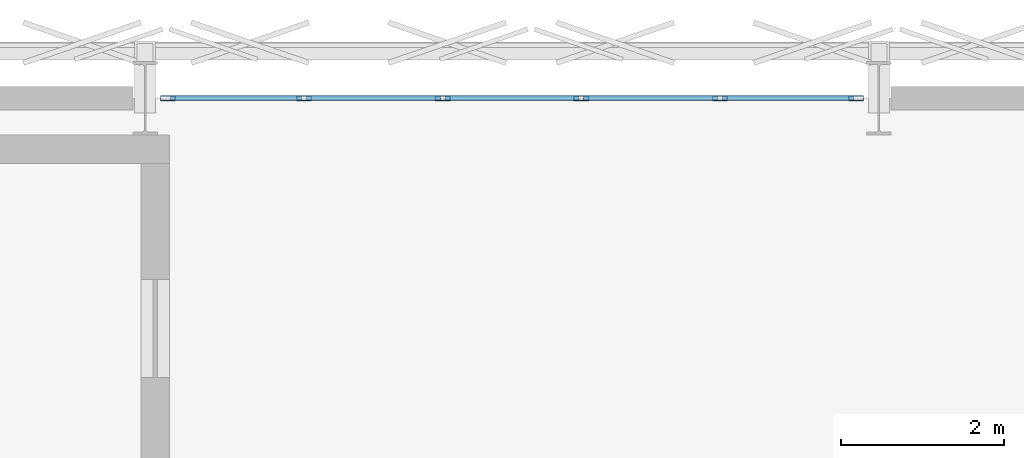
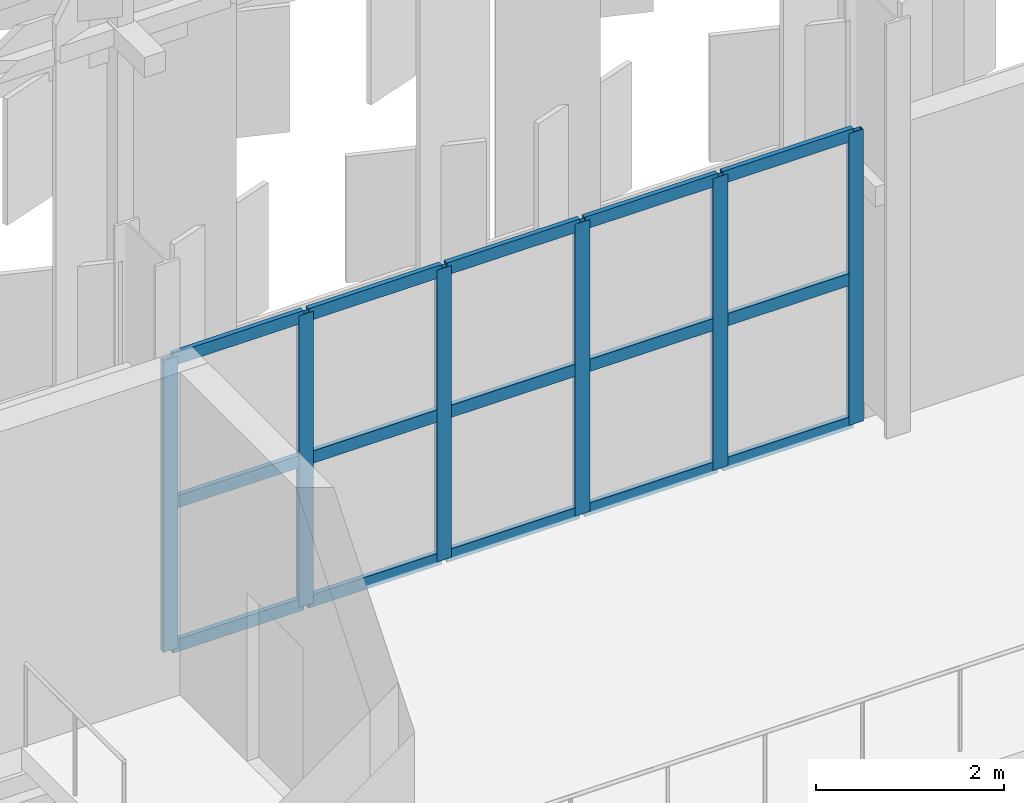
# One storey, part 79 of 210: 21 members, 1 element without a shape of its own.
"""IFC4 building model written with IfcOpenShell, lengths in metres."""

from ifc_helpers import new_model, si_unit, direction, frame, origin, origin_2d, place, context, subcontext, project, spatial, hollow_rectangle, extrude, material, material_profile, profile_set, type_object, element, aggregate, save


model = new_model("IFC4")

# Units and contexts
model_context = context("Model", 3, precision=1e-05, world=origin(), true_north=direction((0.0, 1.0)))
body_context = subcontext(model_context, "Body", "Model", "MODEL_VIEW")
ifc_project = project(units=[si_unit("LENGTHUNIT", "METRE"), si_unit("AREAUNIT", "SQUARE_METRE"), si_unit("VOLUMEUNIT", "CUBIC_METRE"), si_unit("PLANEANGLEUNIT", "RADIAN"), si_unit("MASSUNIT", "GRAM", prefix="KILO")], contexts=[model_context])

# Site, building, storey
site_placement = place(None, origin())
site = spatial("IfcSite", under=ifc_project, at=site_placement, CompositionType="ELEMENT")
building_placement = place(site_placement, origin())
building = spatial("IfcBuilding", under=site, at=building_placement, Name="Kaldris Quays Convention Centre", CompositionType="ELEMENT")
storey_placement = place(building_placement, frame((0.0, 0.0, 6.0)))
storey = spatial("IfcBuildingStorey", under=building, at=storey_placement, Name="L01", CompositionType="ELEMENT", Elevation=6.0)

# Curtain wall, members
ifc_material_1 = material(Name="Anodized aluminium AW-6060 and triple glazing", Category="aluminium")
curtain_wall_type = type_object("IfcCurtainWallType", Name="UNITISED CURTAIN WALL CW05", PredefinedType="NOTDEFINED", material=ifc_material_1)
curtain_wall_placement = place(storey_placement, origin())
curtain_wall = element("IfcCurtainWall", 1, at=curtain_wall_placement, inside=storey, type_object=curtain_wall_type, Name="L01 Unitised Curtain Wall CW05 2", PredefinedType="NOTDEFINED")
ifc_material_2 = material(Name="Anodized aluminium AW-6060", Category="aluminium")
ifc_material_profile_1 = material_profile(ifc_material_2, hollow_rectangle(XDim=0.06005859375, YDim=0.179931640625, WallThickness=0.0048828125, at=origin_2d()), Name="RHS 180x60x5")
ifc_profile_set_1 = profile_set([ifc_material_profile_1], Name="Anodized aluminium AW-6060")
member_type_1 = type_object("IfcMemberType", Name="CURTAIN MULLION CWM2", PredefinedType="MULLION", material=ifc_profile_set_1)
member_1_placement = place(storey_placement, frame((29.280029296875, 140.0, 0.0), z_axis=(0.0, 0.0, 1.0), x_axis=(0.0, 1.0, 0.0)))
member_1 = element("IfcMember", 2, at=member_1_placement, type_object=member_type_1, Name="CW05 mullion 1", PredefinedType="MULLION", context=body_context, shape_type="SweptSolid", body=[
    extrude(hollow_rectangle(XDim=0.06005859375, YDim=0.179931640625, WallThickness=0.0048828125, at=origin_2d()), origin(), (0.0, 0.0, 1.0), 3.800048828125),
])
member_2_placement = place(storey_placement, frame((30.949951171875, 140.0, 0.0), z_axis=(0.0, 0.0, 1.0), x_axis=(0.0, 1.0, 0.0)))
member_2 = element("IfcMember", 3, at=member_2_placement, type_object=member_type_1, Name="CW05 mullion 2", PredefinedType="MULLION", context=body_context, shape_type="SweptSolid", body=[
    extrude(hollow_rectangle(XDim=0.06005859375, YDim=0.179931640625, WallThickness=0.0048828125, at=origin_2d()), origin(), (0.0, 0.0, 1.0), 3.800048828125),
])
member_3_placement = place(storey_placement, frame((32.64990234375, 140.0, 0.0), z_axis=(0.0, 0.0, 1.0), x_axis=(0.0, 1.0, 0.0)))
member_3 = element("IfcMember", 4, at=member_3_placement, type_object=member_type_1, Name="CW05 mullion 3", PredefinedType="MULLION", context=body_context, shape_type="SweptSolid", body=[
    extrude(hollow_rectangle(XDim=0.06005859375, YDim=0.179931640625, WallThickness=0.0048828125, at=origin_2d()), origin(), (0.0, 0.0, 1.0), 3.800048828125),
])
member_4_placement = place(storey_placement, frame((34.35009765625, 140.0, 0.0), z_axis=(0.0, 0.0, 1.0), x_axis=(0.0, 1.0, 0.0)))
member_4 = element("IfcMember", 5, at=member_4_placement, type_object=member_type_1, Name="CW05 mullion 4", PredefinedType="MULLION", context=body_context, shape_type="SweptSolid", body=[
    extrude(hollow_rectangle(XDim=0.06005859375, YDim=0.179931640625, WallThickness=0.0048828125, at=origin_2d()), origin(), (0.0, 0.0, 1.0), 3.800048828125),
])
member_5_placement = place(storey_placement, frame((36.050048828125, 140.0, 0.0), z_axis=(0.0, 0.0, 1.0), x_axis=(0.0, 1.0, 0.0)))
member_5 = element("IfcMember", 6, at=member_5_placement, type_object=member_type_1, Name="CW05 mullion 5", PredefinedType="MULLION", context=body_context, shape_type="SweptSolid", body=[
    extrude(hollow_rectangle(XDim=0.06005859375, YDim=0.179931640625, WallThickness=0.0048828125, at=origin_2d()), origin(), (0.0, 0.0, 1.0), 3.800048828125),
])
member_6_placement = place(storey_placement, frame((37.719970703125, 140.0, 0.0), z_axis=(0.0, 0.0, 1.0), x_axis=(0.0, 1.0, 0.0)))
member_6 = element("IfcMember", 7, at=member_6_placement, type_object=member_type_1, Name="CW05 mullion 6", PredefinedType="MULLION", context=body_context, shape_type="SweptSolid", body=[
    extrude(hollow_rectangle(XDim=0.06005859375, YDim=0.179931640625, WallThickness=0.0048828125, at=origin_2d()), origin(), (0.0, 0.0, 1.0), 3.800048828125),
])
ifc_material_profile_2 = material_profile(ifc_material_2, hollow_rectangle(XDim=0.06005859375, YDim=0.159912109375, WallThickness=0.00390625, at=origin_2d()), Name="RHS 160x60x4")
ifc_profile_set_2 = profile_set([ifc_material_profile_2], Name="Anodized aluminium AW-6060")
member_type_2 = type_object("IfcMemberType", Name="CURTAIN TRANSOM CWT2", PredefinedType="USERDEFINED", material=ifc_profile_set_2)
member_7_placement = place(storey_placement, frame((29.31005859375, 140.0, 0.030029296875), z_axis=(1.0, 0.0, 0.0), x_axis=(0.0, 1.0, 0.0)))
member_7 = element("IfcMember", 8, at=member_7_placement, type_object=member_type_2, Name="CW05 transom 1.1", ObjectType="TRANSOM", PredefinedType="USERDEFINED", context=body_context, shape_type="SweptSolid", body=[
    extrude(hollow_rectangle(XDim=0.06005859375, YDim=0.159912109375, WallThickness=0.00390625, at=origin_2d()), origin(), (0.0, 0.0, 1.0), 1.60986328125),
])
member_8_placement = place(storey_placement, frame((29.31005859375, 140.0, 1.89990234375), z_axis=(1.0, 0.0, 0.0), x_axis=(0.0, 1.0, 0.0)))
member_8 = element("IfcMember", 9, at=member_8_placement, type_object=member_type_2, Name="CW05 transom 1.2", ObjectType="TRANSOM", PredefinedType="USERDEFINED", context=body_context, shape_type="SweptSolid", body=[
    extrude(hollow_rectangle(XDim=0.06005859375, YDim=0.159912109375, WallThickness=0.00390625, at=origin_2d()), origin(), (0.0, 0.0, 1.0), 1.60986328125),
])
member_9_placement = place(storey_placement, frame((29.31005859375, 140.0, 3.77001953125), z_axis=(1.0, 0.0, 0.0), x_axis=(0.0, 1.0, 0.0)))
member_9 = element("IfcMember", 10, at=member_9_placement, type_object=member_type_2, Name="CW05 transom 1.3", ObjectType="TRANSOM", PredefinedType="USERDEFINED", context=body_context, shape_type="SweptSolid", body=[
    extrude(hollow_rectangle(XDim=0.06005859375, YDim=0.159912109375, WallThickness=0.00390625, at=origin_2d()), origin(), (0.0, 0.0, 1.0), 1.60986328125),
])
member_10_placement = place(storey_placement, frame((30.97998046875, 140.0, 0.030029296875), z_axis=(1.0, 0.0, 0.0), x_axis=(0.0, 1.0, 0.0)))
member_10 = element("IfcMember", 11, at=member_10_placement, type_object=member_type_2, Name="CW05 transom 2.1", ObjectType="TRANSOM", PredefinedType="USERDEFINED", context=body_context, shape_type="SweptSolid", body=[
    extrude(hollow_rectangle(XDim=0.06005859375, YDim=0.159912109375, WallThickness=0.00390625, at=origin_2d()), origin(), (0.0, 0.0, 1.0), 1.64013671875),
])
member_11_placement = place(storey_placement, frame((30.97998046875, 140.0, 1.89990234375), z_axis=(1.0, 0.0, 0.0), x_axis=(0.0, 1.0, 0.0)))
member_11 = element("IfcMember", 12, at=member_11_placement, type_object=member_type_2, Name="CW05 transom 2.2", ObjectType="TRANSOM", PredefinedType="USERDEFINED", context=body_context, shape_type="SweptSolid", body=[
    extrude(hollow_rectangle(XDim=0.06005859375, YDim=0.159912109375, WallThickness=0.00390625, at=origin_2d()), origin(), (0.0, 0.0, 1.0), 1.64013671875),
])
member_12_placement = place(storey_placement, frame((30.97998046875, 140.0, 3.77001953125), z_axis=(1.0, 0.0, 0.0), x_axis=(0.0, 1.0, 0.0)))
member_12 = element("IfcMember", 13, at=member_12_placement, type_object=member_type_2, Name="CW05 transom 2.3", ObjectType="TRANSOM", PredefinedType="USERDEFINED", context=body_context, shape_type="SweptSolid", body=[
    extrude(hollow_rectangle(XDim=0.06005859375, YDim=0.159912109375, WallThickness=0.00390625, at=origin_2d()), origin(), (0.0, 0.0, 1.0), 1.64013671875),
])
member_13_placement = place(storey_placement, frame((32.679931640625, 140.0, 0.030029296875), z_axis=(1.0, 0.0, 0.0), x_axis=(0.0, 1.0, 0.0)))
member_13 = element("IfcMember", 14, at=member_13_placement, type_object=member_type_2, Name="CW05 transom 3.1", ObjectType="TRANSOM", PredefinedType="USERDEFINED", context=body_context, shape_type="SweptSolid", body=[
    extrude(hollow_rectangle(XDim=0.06005859375, YDim=0.159912109375, WallThickness=0.00390625, at=origin_2d()), origin(), (0.0, 0.0, 1.0), 1.64013671875),
])
member_14_placement = place(storey_placement, frame((32.679931640625, 140.0, 1.89990234375), z_axis=(1.0, 0.0, 0.0), x_axis=(0.0, 1.0, 0.0)))
member_14 = element("IfcMember", 15, at=member_14_placement, type_object=member_type_2, Name="CW05 transom 3.2", ObjectType="TRANSOM", PredefinedType="USERDEFINED", context=body_context, shape_type="SweptSolid", body=[
    extrude(hollow_rectangle(XDim=0.06005859375, YDim=0.159912109375, WallThickness=0.00390625, at=origin_2d()), origin(), (0.0, 0.0, 1.0), 1.64013671875),
])
member_15_placement = place(storey_placement, frame((32.679931640625, 140.0, 3.77001953125), z_axis=(1.0, 0.0, 0.0), x_axis=(0.0, 1.0, 0.0)))
member_15 = element("IfcMember", 16, at=member_15_placement, type_object=member_type_2, Name="CW05 transom 3.3", ObjectType="TRANSOM", PredefinedType="USERDEFINED", context=body_context, shape_type="SweptSolid", body=[
    extrude(hollow_rectangle(XDim=0.06005859375, YDim=0.159912109375, WallThickness=0.00390625, at=origin_2d()), origin(), (0.0, 0.0, 1.0), 1.64013671875),
])
member_16_placement = place(storey_placement, frame((34.3798828125, 140.0, 0.030029296875), z_axis=(1.0, 0.0, 0.0), x_axis=(0.0, 1.0, 0.0)))
member_16 = element("IfcMember", 17, at=member_16_placement, type_object=member_type_2, Name="CW05 transom 4.1", ObjectType="TRANSOM", PredefinedType="USERDEFINED", context=body_context, shape_type="SweptSolid", body=[
    extrude(hollow_rectangle(XDim=0.06005859375, YDim=0.159912109375, WallThickness=0.00390625, at=origin_2d()), origin(), (0.0, 0.0, 1.0), 1.64013671875),
])
member_17_placement = place(storey_placement, frame((34.3798828125, 140.0, 1.89990234375), z_axis=(1.0, 0.0, 0.0), x_axis=(0.0, 1.0, 0.0)))
member_17 = element("IfcMember", 18, at=member_17_placement, type_object=member_type_2, Name="CW05 transom 4.2", ObjectType="TRANSOM", PredefinedType="USERDEFINED", context=body_context, shape_type="SweptSolid", body=[
    extrude(hollow_rectangle(XDim=0.06005859375, YDim=0.159912109375, WallThickness=0.00390625, at=origin_2d()), origin(), (0.0, 0.0, 1.0), 1.64013671875),
])
member_18_placement = place(storey_placement, frame((34.3798828125, 140.0, 3.77001953125), z_axis=(1.0, 0.0, 0.0), x_axis=(0.0, 1.0, 0.0)))
member_18 = element("IfcMember", 19, at=member_18_placement, type_object=member_type_2, Name="CW05 transom 4.3", ObjectType="TRANSOM", PredefinedType="USERDEFINED", context=body_context, shape_type="SweptSolid", body=[
    extrude(hollow_rectangle(XDim=0.06005859375, YDim=0.159912109375, WallThickness=0.00390625, at=origin_2d()), origin(), (0.0, 0.0, 1.0), 1.64013671875),
])
member_19_placement = place(storey_placement, frame((36.080078125, 140.0, 0.030029296875), z_axis=(1.0, 0.0, 0.0), x_axis=(0.0, 1.0, 0.0)))
member_19 = element("IfcMember", 20, at=member_19_placement, type_object=member_type_2, Name="CW05 transom 5.1", ObjectType="TRANSOM", PredefinedType="USERDEFINED", context=body_context, shape_type="SweptSolid", body=[
    extrude(hollow_rectangle(XDim=0.06005859375, YDim=0.159912109375, WallThickness=0.00390625, at=origin_2d()), origin(), (0.0, 0.0, 1.0), 1.60986328125),
])
member_20_placement = place(storey_placement, frame((36.080078125, 140.0, 1.89990234375), z_axis=(1.0, 0.0, 0.0), x_axis=(0.0, 1.0, 0.0)))
member_20 = element("IfcMember", 21, at=member_20_placement, type_object=member_type_2, Name="CW05 transom 5.2", ObjectType="TRANSOM", PredefinedType="USERDEFINED", context=body_context, shape_type="SweptSolid", body=[
    extrude(hollow_rectangle(XDim=0.06005859375, YDim=0.159912109375, WallThickness=0.00390625, at=origin_2d()), origin(), (0.0, 0.0, 1.0), 1.60986328125),
])
member_21_placement = place(storey_placement, frame((36.080078125, 140.0, 3.77001953125), z_axis=(1.0, 0.0, 0.0), x_axis=(0.0, 1.0, 0.0)))
member_21 = element("IfcMember", 22, at=member_21_placement, type_object=member_type_2, Name="CW05 transom 5.3", ObjectType="TRANSOM", PredefinedType="USERDEFINED", context=body_context, shape_type="SweptSolid", body=[
    extrude(hollow_rectangle(XDim=0.06005859375, YDim=0.159912109375, WallThickness=0.00390625, at=origin_2d()), origin(), (0.0, 0.0, 1.0), 1.60986328125),
])
aggregate(curtain_wall, [member_1, member_2, member_3, member_4, member_5, member_6, member_7, member_8, member_9, member_10, member_11, member_12, member_13, member_14, member_15, member_16, member_17, member_18, member_19, member_20, member_21])

save(model, "model.ifc")
